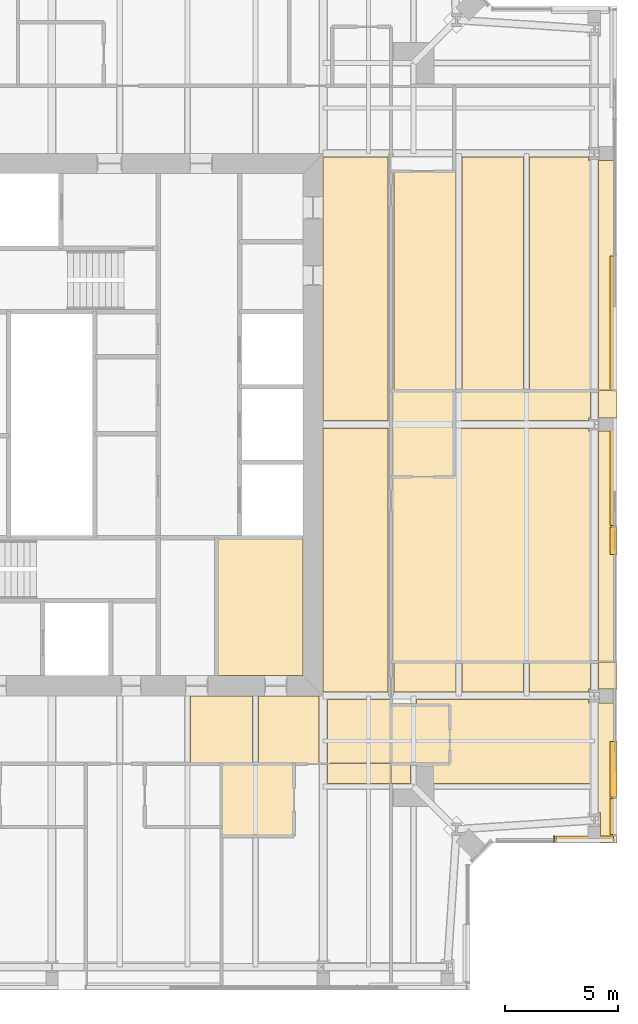
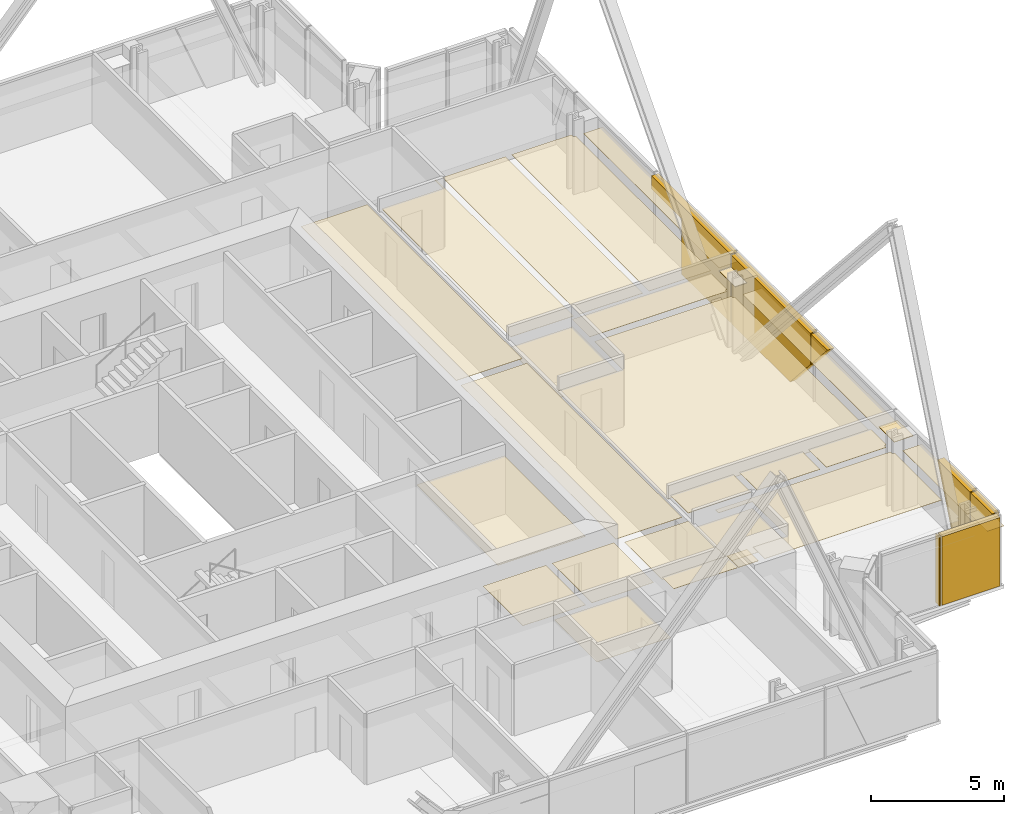
# One storey, part 17 of 19: 32 coverings.
"""IFC4 building model written with IfcOpenShell, lengths in metres."""

from ifc_helpers import new_model, si_unit, direction, frame, origin, place, context, subcontext, project, spatial, polyline, outline, extrude, material, layer, layer_set, type_object, element, save


model = new_model("IFC4")

# Units and contexts
model_context = context("Model", 3, precision=1e-05, world=origin(), true_north=direction((0.0, 1.0)))
body_context = subcontext(model_context, "Body", "Model", "MODEL_VIEW")
ifc_project = project(units=[si_unit("LENGTHUNIT", "METRE"), si_unit("AREAUNIT", "SQUARE_METRE"), si_unit("VOLUMEUNIT", "CUBIC_METRE"), si_unit("PLANEANGLEUNIT", "RADIAN"), si_unit("MASSUNIT", "GRAM", prefix="KILO")], contexts=[model_context])

# Site, building, storey
site_placement = place(None, origin())
site = spatial("IfcSite", under=ifc_project, at=site_placement, CompositionType="ELEMENT")
building_placement = place(site_placement, origin())
building = spatial("IfcBuilding", under=site, at=building_placement, Name="Fenwick Lantern Interchange", CompositionType="ELEMENT")
storey_placement = place(building_placement, frame((0.0, 0.0, 283.199951171875)))
storey = spatial("IfcBuildingStorey", under=building, at=storey_placement, Name="L68", CompositionType="ELEMENT", Elevation=283.199951171875)

# Coverings
ifc_material_1 = material(Name="Granite cladding, warm grey flamed finish, on aluminium carrier frame", Category="masonry")
ifc_layer_1 = layer(ifc_material_1, 0.300048828125)
ifc_layer_set_1 = layer_set([ifc_layer_1], Name="BRACE CASING PANEL 300")
covering_type_1 = type_object("IfcCoveringType", Name="BRACE CASING PANEL 300", PredefinedType="CLADDING", material=ifc_layer_set_1)
covering_1_placement = place(storey_placement, frame((44.45849609375, 6.60009765625, 0.0), z_axis=(0.0, 0.0, 1.0), x_axis=(1.0, 0.0, 0.0)))
element("IfcCovering", 1, at=covering_1_placement, inside=storey, type_object=covering_type_1, Name="Brace casing 04 bay 00a", PredefinedType="CLADDING", context=body_context, shape_type="SweptSolid", body=[
    extrude(outline(polyline([(2.741455078125, 0.0), (2.790771484375, 0.0), (2.790771484375, 3.150146484375), (2.741455078125, 3.150146484375), (2.741455078125, 0.0)])), frame((0.0, 0.2099609375, 0.0), z_axis=(0.0, -1.0, 0.0), x_axis=(1.0, 0.0, 0.0)), (0.0, 0.0, 1.0), 0.300048828125),
])
covering_2_placement = place(storey_placement, frame((44.45849609375, 6.60009765625, 0.0), z_axis=(0.0, 0.0, 1.0), x_axis=(1.0, 0.0, 0.0)))
element("IfcCovering", 2, at=covering_2_placement, inside=storey, type_object=covering_type_1, Name="Brace casing 04 bay 01a", PredefinedType="CLADDING", context=body_context, shape_type="SweptSolid", body=[
    extrude(outline(polyline([(2.850830078125, 0.0), (5.38134765625, 0.0), (5.38134765625, 3.150146484375), (2.850830078125, 3.150146484375), (2.850830078125, 0.0)])), frame((0.0, 0.2099609375, 0.0), z_axis=(0.0, -1.0, 0.0), x_axis=(1.0, 0.0, 0.0)), (0.0, 0.0, 1.0), 0.300048828125),
])
covering_3_placement = place(storey_placement, frame((49.89990234375, 6.60009765625, 0.0), z_axis=(0.0, 0.0, 1.0), x_axis=(0.0, 1.0, 0.0)))
element("IfcCovering", 3, at=covering_3_placement, inside=storey, type_object=covering_type_1, Name="Brace casing 05 bay 00a", PredefinedType="CLADDING", context=body_context, shape_type="SweptSolid", body=[
    extrude(outline(polyline([(0.260009765625, 0.0), (1.8701171875, 0.0), (1.8701171875, 3.150146484375), (0.260009765625, 3.150146484375), (0.260009765625, 0.0)])), frame((0.0, 0.2099609375, 0.0), z_axis=(0.0, -1.0, 0.0), x_axis=(1.0, 0.0, 0.0)), (0.0, 0.0, 1.0), 0.300048828125),
])
covering_4_placement = place(storey_placement, frame((49.89990234375, 6.60009765625, 0.0), z_axis=(0.0, 0.0, 1.0), x_axis=(0.0, 1.0, 0.0)))
element("IfcCovering", 4, at=covering_4_placement, inside=storey, type_object=covering_type_1, Name="Brace casing 05 bay 01a", PredefinedType="CLADDING", context=body_context, shape_type="SweptSolid", body=[
    extrude(outline(polyline([(1.929931640625, 0.0), (3.091064453125, 0.0), (4.3759765625, 3.150146484375), (1.929931640625, 3.150146484375), (1.929931640625, 0.0)])), frame((0.0, 0.2099609375, 0.0), z_axis=(0.0, -1.0, 0.0), x_axis=(1.0, 0.0, 0.0)), (0.0, 0.0, 1.0), 0.300048828125),
])
covering_5_placement = place(storey_placement, frame((49.89990234375, 6.60009765625, 1.77685546875), z_axis=(0.0, 0.0, 1.0), x_axis=(0.0, 1.0, 0.0)))
element("IfcCovering", 5, at=covering_5_placement, inside=storey, type_object=covering_type_1, Name="Brace casing 05 bay 02a", PredefinedType="CLADDING", context=body_context, shape_type="SweptSolid", body=[
    extrude(outline(polyline([(13.8701171875, 0.0), (13.8701171875, 1.373291015625), (12.648193359375, 1.373291015625), (13.8701171875, 0.0)])), frame((0.0, 0.2099609375, 0.0), z_axis=(0.0, -1.0, 0.0), x_axis=(1.0, 0.0, 0.0)), (0.0, 0.0, 1.0), 0.300048828125),
])
covering_6_placement = place(storey_placement, frame((49.89990234375, 6.60009765625, 0.0), z_axis=(0.0, 0.0, 1.0), x_axis=(0.0, 1.0, 0.0)))
element("IfcCovering", 6, at=covering_6_placement, inside=storey, type_object=covering_type_1, Name="Brace casing 05 bay 03a", PredefinedType="CLADDING", context=body_context, shape_type="SweptSolid", body=[
    extrude(outline(polyline([(15.451171875, 0.0), (19.8701171875, 0.0), (19.8701171875, 3.150146484375), (13.929931640625, 3.150146484375), (13.929931640625, 1.70947265625), (15.451171875, 0.0)])), frame((0.0, 0.2099609375, 0.0), z_axis=(0.0, -1.0, 0.0), x_axis=(1.0, 0.0, 0.0)), (0.0, 0.0, 1.0), 0.300048828125),
])
covering_7_placement = place(storey_placement, frame((49.89990234375, 6.60009765625, 0.0), z_axis=(0.0, 0.0, 1.0), x_axis=(0.0, 1.0, 0.0)))
element("IfcCovering", 7, at=covering_7_placement, inside=storey, type_object=covering_type_1, Name="Brace casing 05 bay 04a", PredefinedType="CLADDING", context=body_context, shape_type="SweptSolid", body=[
    extrude(outline(polyline([(19.929931640625, 0.0), (23.608642578125, 0.0), (23.608642578125, 2.539794921875), (25.8701171875, 2.539794921875), (25.8701171875, 3.150146484375), (19.929931640625, 3.150146484375), (19.929931640625, 0.0)])), frame((0.0, 0.2099609375, 0.0), z_axis=(0.0, -1.0, 0.0), x_axis=(1.0, 0.0, 0.0)), (0.0, 0.0, 1.0), 0.300048828125),
])
ifc_material_2 = material(Name="Moisture resistant gypsum board on suspended frame, painted")
ifc_layer_2 = layer(ifc_material_2, 0.014892578125)
ifc_layer_set_2 = layer_set([ifc_layer_2], Name="MOISTURE RESISTANT CEILING 15")
covering_type_2 = type_object("IfcCoveringType", Name="MOISTURE RESISTANT CEILING 15", PredefinedType="CEILING", material=ifc_layer_set_2)
covering_8_placement = place(storey_placement, frame((0.0, 0.0, 2.60009765625)))
element("IfcCovering", 8, at=covering_8_placement, inside=storey, type_object=covering_type_2, Name="Women's WC ceiling", PredefinedType="CEILING", context=body_context, shape_type="SweptSolid", body=[
    extrude(outline(polyline([(32.300048828125, 13.89990234375), (36.10009765625, 13.89990234375), (36.10009765625, 20.0), (32.300048828125, 20.0), (32.300048828125, 13.89990234375)])), origin(), (0.0, 0.0, 1.0), 0.014892578125),
])
covering_9_placement = place(storey_placement, frame((0.0, 0.0, 2.400146484375)))
element("IfcCovering", 9, at=covering_9_placement, inside=storey, type_object=covering_type_2, Name="En-suite 6804 ceiling", PredefinedType="CEILING", context=body_context, shape_type="SweptSolid", body=[
    extrude(outline(polyline([(32.5, 6.800048828125), (35.699951171875, 6.800048828125), (35.699951171875, 10.0), (32.5, 10.0), (32.5, 6.800048828125)])), origin(), (0.0, 0.0, 1.0), 0.014892578125),
])
covering_10_placement = place(storey_placement, frame((0.0, 0.0, 2.400146484375)))
element("IfcCovering", 10, at=covering_10_placement, inside=storey, type_object=covering_type_2, Name="En-suite 6805 ceiling", PredefinedType="CEILING", context=body_context, shape_type="SweptSolid", body=[
    extrude(outline(polyline([(42.60009765625, 10.0), (42.60009765625, 12.60009765625), (40.0, 12.60009765625), (40.0, 10.0), (42.60009765625, 10.0)])), origin(), (0.0, 0.0, 1.0), 0.014892578125),
])
covering_11_placement = place(storey_placement, frame((0.0, 0.0, 2.235107421875)))
element("IfcCovering", 11, at=covering_11_placement, inside=storey, type_object=covering_type_2, Name="En-suite 6806 ceiling", PredefinedType="CEILING", context=body_context, shape_type="SweptSolid", body=[
    extrude(outline(polyline([(42.800048828125, 22.699951171875), (42.800048828125, 26.5), (40.0, 26.5), (40.0, 22.699951171875), (42.800048828125, 22.699951171875)])), origin(), (0.0, 0.0, 1.0), 0.014892578125),
])
ifc_material_3 = material(Name="Gypsum plasterboard on suspended frame, painted")
ifc_layer_3 = layer(ifc_material_3, 0.014892578125)
ifc_layer_set_3 = layer_set([ifc_layer_3], Name="PLASTERBOARD CEILING 15")
covering_type_3 = type_object("IfcCoveringType", Name="PLASTERBOARD CEILING 15", PredefinedType="CEILING", material=ifc_layer_set_3)
covering_12_placement = place(storey_placement, frame((0.0, 0.0, 2.60009765625)))
element("IfcCovering", 12, at=covering_12_placement, inside=storey, type_object=covering_type_3, Name="Corridor ceiling", PredefinedType="CEILING", context=body_context, shape_type="SweptSolid", body=[
    extrude(outline(polyline([(37.0, 24.824951171875), (37.0, 13.166015625), (39.865478515625, 13.166015625), (39.865478515625, 24.824951171875), (37.0, 24.824951171875)])), origin(), (0.0, 0.0, 1.0), 0.014892578125),
])
covering_13_placement = place(storey_placement, frame((0.0, 0.0, 2.60009765625)))
element("IfcCovering", 13, at=covering_13_placement, inside=storey, type_object=covering_type_3, Name="Corridor ceiling", PredefinedType="CEILING", context=body_context, shape_type="SweptSolid", body=[
    extrude(outline(polyline([(37.0, 36.833984375), (37.0, 25.175048828125), (39.865478515625, 25.175048828125), (39.865478515625, 36.833984375), (37.0, 36.833984375)])), origin(), (0.0, 0.0, 1.0), 0.014892578125),
])
covering_14_placement = place(storey_placement, frame((0.0, 0.0, 2.60009765625)))
element("IfcCovering", 14, at=covering_14_placement, inside=storey, type_object=covering_type_3, Name="Corridor ceiling", PredefinedType="CEILING", context=body_context, shape_type="SweptSolid", body=[
    extrude(outline(polyline([(31.134521484375, 10.0), (33.865478515625, 10.0), (33.865478515625, 13.0), (31.134521484375, 13.0), (31.134521484375, 10.0)])), origin(), (0.0, 0.0, 1.0), 0.014892578125),
])
covering_15_placement = place(storey_placement, frame((0.0, 0.0, 2.60009765625)))
element("IfcCovering", 15, at=covering_15_placement, inside=storey, type_object=covering_type_3, Name="Corridor ceiling", PredefinedType="CEILING", context=body_context, shape_type="SweptSolid", body=[
    extrude(outline(polyline([(34.134521484375, 10.0), (36.816162109375, 10.0), (36.816162109375, 13.0), (34.134521484375, 13.0), (34.134521484375, 10.0)])), origin(), (0.0, 0.0, 1.0), 0.014892578125),
])
covering_16_placement = place(storey_placement, frame((0.0, 0.0, 2.60009765625)))
element("IfcCovering", 16, at=covering_16_placement, inside=storey, type_object=covering_type_3, Name="Corridor ceiling", PredefinedType="CEILING", context=body_context, shape_type="SweptSolid", body=[
    extrude(outline(polyline([(40.0, 10.0), (40.0, 12.833984375), (37.183837890625, 12.833984375), (37.183837890625, 10.0), (40.0, 10.0)])), origin(), (0.0, 0.0, 1.0), 0.014892578125),
])
covering_17_placement = place(storey_placement, frame((0.0, 0.0, 2.699951171875)))
element("IfcCovering", 17, at=covering_17_placement, inside=storey, type_object=covering_type_3, Name="Guest room 6804 ceiling", PredefinedType="CEILING", context=body_context, shape_type="SweptSolid", body=[
    extrude(outline(polyline([(40.0, 10.0), (37.183837890625, 10.0), (37.183837890625, 9.134521484375), (40.0, 9.134521484375), (40.0, 10.0)])), origin(), (0.0, 0.0, 1.0), 0.01513671875),
])
covering_18_placement = place(storey_placement, frame((0.0, 0.0, 2.699951171875)))
element("IfcCovering", 18, at=covering_18_placement, inside=storey, type_object=covering_type_3, Name="Guest suite 6805 ceiling", PredefinedType="CEILING", context=body_context, shape_type="SweptSolid", body=[
    extrude(outline(polyline([(42.60009765625, 10.0), (41.134521484375, 10.0), (41.134521484375, 9.134521484375), (48.82763671875, 9.134521484375), (48.82763671875, 12.6845703125), (48.72900390625, 12.6845703125), (48.72900390625, 12.833984375), (41.134521484375, 12.833984375), (41.134521484375, 12.60009765625), (42.60009765625, 12.60009765625), (42.60009765625, 10.0)])), origin(), (0.0, 0.0, 1.0), 0.01513671875),
])
covering_19_placement = place(storey_placement, frame((0.0, 0.0, 2.699951171875)))
element("IfcCovering", 19, at=covering_19_placement, inside=storey, type_object=covering_type_3, Name="Guest suite 6805 ceiling", PredefinedType="CEILING", context=body_context, shape_type="SweptSolid", body=[
    extrude(outline(polyline([(50.0, 12.6845703125), (49.17236328125, 12.6845703125), (49.17236328125, 7.83447265625), (49.27734375, 7.83447265625), (49.27734375, 6.5), (50.0, 6.5), (50.0, 12.6845703125)])), origin(), (0.0, 0.0, 1.0), 0.01513671875),
])
covering_20_placement = place(storey_placement, frame((0.0, 0.0, 2.699951171875)))
element("IfcCovering", 20, at=covering_20_placement, inside=storey, type_object=covering_type_3, Name="Guest suite 6805 ceiling", PredefinedType="CEILING", context=body_context, shape_type="SweptSolid", body=[
    extrude(outline(polyline([(42.865478515625, 14.5), (40.134521484375, 14.5), (40.134521484375, 13.166015625), (42.865478515625, 13.166015625), (42.865478515625, 14.5)])), origin(), (0.0, 0.0, 1.0), 0.01513671875),
])
covering_21_placement = place(storey_placement, frame((0.0, 0.0, 2.699951171875)))
element("IfcCovering", 21, at=covering_21_placement, inside=storey, type_object=covering_type_3, Name="Guest suite 6805 ceiling", PredefinedType="CEILING", context=body_context, shape_type="SweptSolid", body=[
    extrude(outline(polyline([(45.865478515625, 14.5), (43.134521484375, 14.5), (43.134521484375, 13.166015625), (45.865478515625, 13.166015625), (45.865478515625, 14.5)])), origin(), (0.0, 0.0, 1.0), 0.01513671875),
])
covering_22_placement = place(storey_placement, frame((0.0, 0.0, 2.699951171875)))
element("IfcCovering", 22, at=covering_22_placement, inside=storey, type_object=covering_type_3, Name="Guest suite 6805 ceiling", PredefinedType="CEILING", context=body_context, shape_type="SweptSolid", body=[
    extrude(outline(polyline([(48.82763671875, 14.5), (46.134521484375, 14.5), (46.134521484375, 13.166015625), (48.72900390625, 13.166015625), (48.72900390625, 13.3154296875), (48.82763671875, 13.3154296875), (48.82763671875, 14.5)])), origin(), (0.0, 0.0, 1.0), 0.01513671875),
])
covering_23_placement = place(storey_placement, frame((0.0, 0.0, 2.699951171875)))
element("IfcCovering", 23, at=covering_23_placement, inside=storey, type_object=covering_type_3, Name="Guest suite 6805 ceiling", PredefinedType="CEILING", context=body_context, shape_type="SweptSolid", body=[
    extrude(outline(polyline([(50.0, 14.5), (49.17236328125, 14.5), (49.17236328125, 13.3154296875), (50.0, 13.3154296875), (50.0, 14.5)])), origin(), (0.0, 0.0, 1.0), 0.01513671875),
])
covering_24_placement = place(storey_placement, frame((0.0, 0.0, 2.699951171875)))
element("IfcCovering", 24, at=covering_24_placement, inside=storey, type_object=covering_type_3, Name="Guest suite 6805 ceiling", PredefinedType="CEILING", context=body_context, shape_type="SweptSolid", body=[
    extrude(outline(polyline([(40.0, 10.0), (40.0, 9.134521484375), (40.865478515625, 9.134521484375), (40.865478515625, 10.0), (40.0, 10.0)])), origin(), (0.0, 0.0, 1.0), 0.01513671875),
])
covering_25_placement = place(storey_placement, frame((0.0, 0.0, 2.572998046875)))
element("IfcCovering", 25, at=covering_25_placement, inside=storey, type_object=covering_type_3, Name="Guest suite 6806 ceiling", PredefinedType="CEILING", context=body_context, shape_type="SweptSolid", body=[
    extrude(outline(polyline([(48.73779296875, 24.71240234375), (48.73779296875, 24.824951171875), (42.800048828125, 24.824951171875), (42.800048828125, 22.699951171875), (40.0, 22.699951171875), (40.0, 14.5), (48.82763671875, 14.5), (48.82763671875, 24.71240234375), (48.73779296875, 24.71240234375)])), origin(), (0.0, 0.0, 1.0), 0.014892578125),
])
covering_26_placement = place(storey_placement, frame((0.0, 0.0, 2.572998046875)))
element("IfcCovering", 26, at=covering_26_placement, inside=storey, type_object=covering_type_3, Name="Guest suite 6806 ceiling", PredefinedType="CEILING", context=body_context, shape_type="SweptSolid", body=[
    extrude(outline(polyline([(50.0, 24.71240234375), (49.17236328125, 24.71240234375), (49.17236328125, 14.5), (50.0, 14.5), (50.0, 24.71240234375)])), origin(), (0.0, 0.0, 1.0), 0.014892578125),
])
covering_27_placement = place(storey_placement, frame((0.0, 0.0, 2.572998046875)))
element("IfcCovering", 27, at=covering_27_placement, inside=storey, type_object=covering_type_3, Name="Guest suite 6806 ceiling", PredefinedType="CEILING", context=body_context, shape_type="SweptSolid", body=[
    extrude(outline(polyline([(48.73779296875, 25.28759765625), (48.82763671875, 25.28759765625), (48.82763671875, 26.5), (42.800048828125, 26.5), (42.800048828125, 25.175048828125), (48.73779296875, 25.175048828125), (48.73779296875, 25.28759765625)])), origin(), (0.0, 0.0, 1.0), 0.014892578125),
])
covering_28_placement = place(storey_placement, frame((0.0, 0.0, 2.572998046875)))
element("IfcCovering", 28, at=covering_28_placement, inside=storey, type_object=covering_type_3, Name="Guest suite 6806 ceiling", PredefinedType="CEILING", context=body_context, shape_type="SweptSolid", body=[
    extrude(outline(polyline([(49.17236328125, 25.28759765625), (50.0, 25.28759765625), (50.0, 26.5), (49.17236328125, 26.5), (49.17236328125, 25.28759765625)])), origin(), (0.0, 0.0, 1.0), 0.014892578125),
])
covering_29_placement = place(storey_placement, frame((0.0, 0.0, 2.699951171875)))
element("IfcCovering", 29, at=covering_29_placement, inside=storey, type_object=covering_type_3, Name="Guest suite 6807 ceiling", PredefinedType="CEILING", context=body_context, shape_type="SweptSolid", body=[
    extrude(outline(polyline([(43.134521484375, 26.5), (45.865478515625, 26.5), (45.865478515625, 36.833984375), (43.134521484375, 36.833984375), (43.134521484375, 26.5)])), origin(), (0.0, 0.0, 1.0), 0.01513671875),
])
covering_30_placement = place(storey_placement, frame((0.0, 0.0, 2.699951171875)))
element("IfcCovering", 30, at=covering_30_placement, inside=storey, type_object=covering_type_3, Name="Guest suite 6807 ceiling", PredefinedType="CEILING", context=body_context, shape_type="SweptSolid", body=[
    extrude(outline(polyline([(48.72900390625, 36.6845703125), (48.72900390625, 36.833984375), (46.134521484375, 36.833984375), (46.134521484375, 26.5), (48.82763671875, 26.5), (48.82763671875, 36.6845703125), (48.72900390625, 36.6845703125)])), origin(), (0.0, 0.0, 1.0), 0.01513671875),
])
covering_31_placement = place(storey_placement, frame((0.0, 0.0, 2.699951171875)))
element("IfcCovering", 31, at=covering_31_placement, inside=storey, type_object=covering_type_3, Name="Guest suite 6807 ceiling", PredefinedType="CEILING", context=body_context, shape_type="SweptSolid", body=[
    extrude(outline(polyline([(40.134521484375, 26.5), (42.865478515625, 26.5), (42.865478515625, 36.833984375), (42.800048828125, 36.833984375), (42.800048828125, 36.199951171875), (40.134521484375, 36.199951171875), (40.134521484375, 26.5)])), origin(), (0.0, 0.0, 1.0), 0.01513671875),
])
covering_32_placement = place(storey_placement, frame((0.0, 0.0, 2.699951171875)))
element("IfcCovering", 32, at=covering_32_placement, inside=storey, type_object=covering_type_3, Name="Guest suite 6807 ceiling", PredefinedType="CEILING", context=body_context, shape_type="SweptSolid", body=[
    extrude(outline(polyline([(50.0, 36.6845703125), (49.17236328125, 36.6845703125), (49.17236328125, 26.5), (50.0, 26.5), (50.0, 36.6845703125)])), origin(), (0.0, 0.0, 1.0), 0.01513671875),
])

save(model, "model.ifc")
